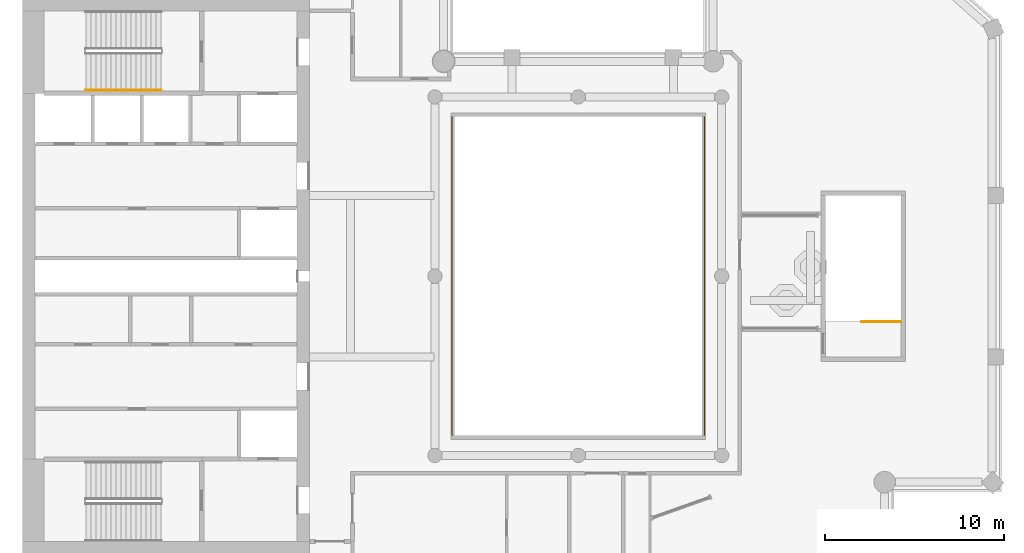
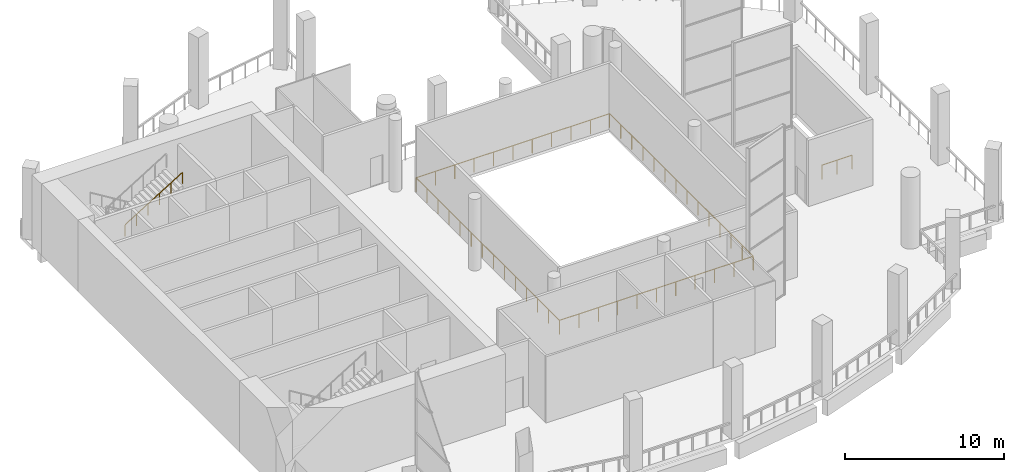
# One storey, part 10 of 12: 3 railings.
"""IFC4 building model written with IfcOpenShell, lengths in metres."""

from ifc_helpers import new_model, si_unit, direction, frame, origin, origin_2d, place, context, subcontext, project, spatial, rectangle, extrude, material, type_object, element, save


model = new_model("IFC4")

# Units and contexts
model_context = context("Model", 3, precision=1e-05, world=origin(), true_north=direction((0.0, 1.0)))
body_context = subcontext(model_context, "Body", "Model", "MODEL_VIEW")
ifc_project = project(units=[si_unit("LENGTHUNIT", "METRE"), si_unit("AREAUNIT", "SQUARE_METRE"), si_unit("VOLUMEUNIT", "CUBIC_METRE"), si_unit("PLANEANGLEUNIT", "RADIAN"), si_unit("MASSUNIT", "GRAM", prefix="KILO")], contexts=[model_context])

# Site, building, storey
site_placement = place(None, origin())
site = spatial("IfcSite", under=ifc_project, at=site_placement, CompositionType="ELEMENT")
building_placement = place(site_placement, origin())
building = spatial("IfcBuilding", under=site, at=building_placement, Name="Cypress Arch Tower", CompositionType="ELEMENT")
storey_placement = place(building_placement, frame((0.0, 0.0, 329.5)))
storey = spatial("IfcBuildingStorey", under=building, at=storey_placement, Name="L75", CompositionType="ELEMENT", Elevation=329.5)

# Railings
ifc_material_1 = material(Name="Stainless steel posts and handrail, laminated glass infill", Category="steel")
railing_type_1 = type_object("IfcRailingType", Name="Atrium guard GR1100A", PredefinedType="GUARDRAIL", material=ifc_material_1)
railing_1_placement = place(storey_placement, frame((8.050048828125, -9.050048828125, 0.0)))
element("IfcRailing", 1, at=railing_1_placement, inside=storey, type_object=railing_type_1, Name="Atrium guard L75", PredefinedType="GUARDRAIL", context=body_context, shape_type="SweptSolid", body=[
    extrude(rectangle(XDim=0.050048828125, YDim=0.050048828125, at=origin_2d()), frame((0.0, 0.0, 1.0751953125), z_axis=(-1.0, 0.0, 0.0), x_axis=(0.0, -1.0, 0.0)), (0.0, 0.0, 1.0), 14.10009765625),
    extrude(rectangle(XDim=0.050048828125, YDim=0.050048828125, at=origin_2d()), frame((-14.10009765625, 0.0, 1.0751953125), z_axis=(0.0, 1.0, 0.0), x_axis=(-1.0, 0.0, 0.0)), (0.0, 0.0, 1.0), 18.10009765625),
    extrude(rectangle(XDim=0.050048828125, YDim=0.050048828125, at=origin_2d()), frame((-14.10009765625, 18.10009765625, 1.0751953125), z_axis=(1.0, 0.0, 0.0), x_axis=(0.0, 1.0, 0.0)), (0.0, 0.0, 1.0), 14.10009765625),
    extrude(rectangle(XDim=0.050048828125, YDim=0.050048828125, at=origin_2d()), frame((0.0, 18.10009765625, 1.0751953125), z_axis=(0.0, -1.0, 0.0), x_axis=(1.0, 0.0, 0.0)), (0.0, 0.0, 1.0), 18.10009765625),
    extrude(rectangle(XDim=0.050048828125, YDim=0.050048828125, at=origin_2d()), origin(), (0.0, 0.0, 1.0), 1.050048828125),
    extrude(rectangle(XDim=0.050048828125, YDim=0.050048828125, at=origin_2d()), frame((-1.409912109375, 0.0, 0.0)), (0.0, 0.0, 1.0), 1.050048828125),
    extrude(rectangle(XDim=0.050048828125, YDim=0.050048828125, at=origin_2d()), frame((-2.820068359375, 0.0, 0.0)), (0.0, 0.0, 1.0), 1.050048828125),
    extrude(rectangle(XDim=0.050048828125, YDim=0.050048828125, at=origin_2d()), frame((-4.22998046875, 0.0, 0.0)), (0.0, 0.0, 1.0), 1.050048828125),
    extrude(rectangle(XDim=0.050048828125, YDim=0.050048828125, at=origin_2d()), frame((-5.64013671875, 0.0, 0.0)), (0.0, 0.0, 1.0), 1.050048828125),
    extrude(rectangle(XDim=0.050048828125, YDim=0.050048828125, at=origin_2d()), frame((-7.050048828125, 0.0, 0.0)), (0.0, 0.0, 1.0), 1.050048828125),
    extrude(rectangle(XDim=0.050048828125, YDim=0.050048828125, at=origin_2d()), frame((-8.4599609375, 0.0, 0.0)), (0.0, 0.0, 1.0), 1.050048828125),
    extrude(rectangle(XDim=0.050048828125, YDim=0.050048828125, at=origin_2d()), frame((-9.8701171875, 0.0, 0.0)), (0.0, 0.0, 1.0), 1.050048828125),
    extrude(rectangle(XDim=0.050048828125, YDim=0.050048828125, at=origin_2d()), frame((-11.280029296875, 0.0, 0.0)), (0.0, 0.0, 1.0), 1.050048828125),
    extrude(rectangle(XDim=0.050048828125, YDim=0.050048828125, at=origin_2d()), frame((-12.690185546875, 0.0, 0.0)), (0.0, 0.0, 1.0), 1.050048828125),
    extrude(rectangle(XDim=0.050048828125, YDim=0.050048828125, at=origin_2d()), frame((-14.10009765625, 0.0, 0.0)), (0.0, 0.0, 1.0), 1.050048828125),
    extrude(rectangle(XDim=0.050048828125, YDim=0.050048828125, at=origin_2d()), frame((-14.10009765625, 1.392333984375, 0.0)), (0.0, 0.0, 1.0), 1.050048828125),
    extrude(rectangle(XDim=0.050048828125, YDim=0.050048828125, at=origin_2d()), frame((-14.10009765625, 2.78466796875, 0.0)), (0.0, 0.0, 1.0), 1.050048828125),
    extrude(rectangle(XDim=0.050048828125, YDim=0.050048828125, at=origin_2d()), frame((-14.10009765625, 4.177001953125, 0.0)), (0.0, 0.0, 1.0), 1.050048828125),
    extrude(rectangle(XDim=0.050048828125, YDim=0.050048828125, at=origin_2d()), frame((-14.10009765625, 5.5693359375, 0.0)), (0.0, 0.0, 1.0), 1.050048828125),
    extrude(rectangle(XDim=0.050048828125, YDim=0.050048828125, at=origin_2d()), frame((-14.10009765625, 6.961669921875, 0.0)), (0.0, 0.0, 1.0), 1.050048828125),
    extrude(rectangle(XDim=0.050048828125, YDim=0.050048828125, at=origin_2d()), frame((-14.10009765625, 8.35400390625, 0.0)), (0.0, 0.0, 1.0), 1.050048828125),
    extrude(rectangle(XDim=0.050048828125, YDim=0.050048828125, at=origin_2d()), frame((-14.10009765625, 9.74609375, 0.0)), (0.0, 0.0, 1.0), 1.050048828125),
    extrude(rectangle(XDim=0.050048828125, YDim=0.050048828125, at=origin_2d()), frame((-14.10009765625, 11.138427734375, 0.0)), (0.0, 0.0, 1.0), 1.050048828125),
    extrude(rectangle(XDim=0.050048828125, YDim=0.050048828125, at=origin_2d()), frame((-14.10009765625, 12.53076171875, 0.0)), (0.0, 0.0, 1.0), 1.050048828125),
    extrude(rectangle(XDim=0.050048828125, YDim=0.050048828125, at=origin_2d()), frame((-14.10009765625, 13.923095703125, 0.0)), (0.0, 0.0, 1.0), 1.050048828125),
    extrude(rectangle(XDim=0.050048828125, YDim=0.050048828125, at=origin_2d()), frame((-14.10009765625, 15.3154296875, 0.0)), (0.0, 0.0, 1.0), 1.050048828125),
    extrude(rectangle(XDim=0.050048828125, YDim=0.050048828125, at=origin_2d()), frame((-14.10009765625, 16.707763671875, 0.0)), (0.0, 0.0, 1.0), 1.050048828125),
    extrude(rectangle(XDim=0.050048828125, YDim=0.050048828125, at=origin_2d()), frame((-14.10009765625, 18.10009765625, 0.0)), (0.0, 0.0, 1.0), 1.050048828125),
    extrude(rectangle(XDim=0.050048828125, YDim=0.050048828125, at=origin_2d()), frame((-12.690185546875, 18.10009765625, 0.0)), (0.0, 0.0, 1.0), 1.050048828125),
    extrude(rectangle(XDim=0.050048828125, YDim=0.050048828125, at=origin_2d()), frame((-11.280029296875, 18.10009765625, 0.0)), (0.0, 0.0, 1.0), 1.050048828125),
    extrude(rectangle(XDim=0.050048828125, YDim=0.050048828125, at=origin_2d()), frame((-9.8701171875, 18.10009765625, 0.0)), (0.0, 0.0, 1.0), 1.050048828125),
    extrude(rectangle(XDim=0.050048828125, YDim=0.050048828125, at=origin_2d()), frame((-8.4599609375, 18.10009765625, 0.0)), (0.0, 0.0, 1.0), 1.050048828125),
    extrude(rectangle(XDim=0.050048828125, YDim=0.050048828125, at=origin_2d()), frame((-7.050048828125, 18.10009765625, 0.0)), (0.0, 0.0, 1.0), 1.050048828125),
    extrude(rectangle(XDim=0.050048828125, YDim=0.050048828125, at=origin_2d()), frame((-5.64013671875, 18.10009765625, 0.0)), (0.0, 0.0, 1.0), 1.050048828125),
    extrude(rectangle(XDim=0.050048828125, YDim=0.050048828125, at=origin_2d()), frame((-4.22998046875, 18.10009765625, 0.0)), (0.0, 0.0, 1.0), 1.050048828125),
    extrude(rectangle(XDim=0.050048828125, YDim=0.050048828125, at=origin_2d()), frame((-2.820068359375, 18.10009765625, 0.0)), (0.0, 0.0, 1.0), 1.050048828125),
    extrude(rectangle(XDim=0.050048828125, YDim=0.050048828125, at=origin_2d()), frame((-1.409912109375, 18.10009765625, 0.0)), (0.0, 0.0, 1.0), 1.050048828125),
    extrude(rectangle(XDim=0.050048828125, YDim=0.050048828125, at=origin_2d()), frame((0.0, 18.10009765625, 0.0)), (0.0, 0.0, 1.0), 1.050048828125),
    extrude(rectangle(XDim=0.050048828125, YDim=0.050048828125, at=origin_2d()), frame((0.0, 16.707763671875, 0.0)), (0.0, 0.0, 1.0), 1.050048828125),
    extrude(rectangle(XDim=0.050048828125, YDim=0.050048828125, at=origin_2d()), frame((0.0, 15.3154296875, 0.0)), (0.0, 0.0, 1.0), 1.050048828125),
    extrude(rectangle(XDim=0.050048828125, YDim=0.050048828125, at=origin_2d()), frame((0.0, 13.923095703125, 0.0)), (0.0, 0.0, 1.0), 1.050048828125),
    extrude(rectangle(XDim=0.050048828125, YDim=0.050048828125, at=origin_2d()), frame((0.0, 12.53076171875, 0.0)), (0.0, 0.0, 1.0), 1.050048828125),
    extrude(rectangle(XDim=0.050048828125, YDim=0.050048828125, at=origin_2d()), frame((0.0, 11.138427734375, 0.0)), (0.0, 0.0, 1.0), 1.050048828125),
    extrude(rectangle(XDim=0.050048828125, YDim=0.050048828125, at=origin_2d()), frame((0.0, 9.74609375, 0.0)), (0.0, 0.0, 1.0), 1.050048828125),
    extrude(rectangle(XDim=0.050048828125, YDim=0.050048828125, at=origin_2d()), frame((0.0, 8.35400390625, 0.0)), (0.0, 0.0, 1.0), 1.050048828125),
    extrude(rectangle(XDim=0.050048828125, YDim=0.050048828125, at=origin_2d()), frame((0.0, 6.961669921875, 0.0)), (0.0, 0.0, 1.0), 1.050048828125),
    extrude(rectangle(XDim=0.050048828125, YDim=0.050048828125, at=origin_2d()), frame((0.0, 5.5693359375, 0.0)), (0.0, 0.0, 1.0), 1.050048828125),
    extrude(rectangle(XDim=0.050048828125, YDim=0.050048828125, at=origin_2d()), frame((0.0, 4.177001953125, 0.0)), (0.0, 0.0, 1.0), 1.050048828125),
    extrude(rectangle(XDim=0.050048828125, YDim=0.050048828125, at=origin_2d()), frame((0.0, 2.78466796875, 0.0)), (0.0, 0.0, 1.0), 1.050048828125),
    extrude(rectangle(XDim=0.050048828125, YDim=0.050048828125, at=origin_2d()), frame((0.0, 1.392333984375, 0.0)), (0.0, 0.0, 1.0), 1.050048828125),
])
ifc_material_2 = material(Name="Black powder-coated steel square bar 48 mm", Category="steel")
railing_type_2 = type_object("IfcRailingType", Name="Stair handrail HR1", PredefinedType="HANDRAIL", material=ifc_material_2)
railing_2_placement = place(storey_placement, frame((-26.47509765625, 10.375, 2.921875)))
element("IfcRailing", 2, at=railing_2_placement, inside=storey, type_object=railing_type_2, Name="L75 B stair handrail 2", PredefinedType="HANDRAIL", context=body_context, shape_type="SweptSolid", body=[
    extrude(rectangle(XDim=0.048095703125, YDim=0.048095703125, at=origin_2d()), frame((0.0, 0.0, 0.8759765625), z_axis=(0.852256472501, 0.0, 0.523124177495), x_axis=(0.0, 1.0, 0.0)), (0.0, 0.0, 1.0), 4.92822265625),
    extrude(rectangle(XDim=0.0419921875, YDim=0.0419921875, at=origin_2d()), origin(), (0.0, 0.0, 1.0), 0.851806640625),
    extrude(rectangle(XDim=0.0419921875, YDim=0.0419921875, at=origin_2d()), frame((0.840087890625, 0.0, 0.515625)), (0.0, 0.0, 1.0), 0.851806640625),
    extrude(rectangle(XDim=0.0419921875, YDim=0.0419921875, at=origin_2d()), frame((1.68017578125, 0.0, 1.03125)), (0.0, 0.0, 1.0), 0.851806640625),
    extrude(rectangle(XDim=0.0419921875, YDim=0.0419921875, at=origin_2d()), frame((2.52001953125, 0.0, 1.546875)), (0.0, 0.0, 1.0), 0.851806640625),
    extrude(rectangle(XDim=0.0419921875, YDim=0.0419921875, at=origin_2d()), frame((3.360107421875, 0.0, 2.0625)), (0.0, 0.0, 1.0), 0.851806640625),
    extrude(rectangle(XDim=0.0419921875, YDim=0.0419921875, at=origin_2d()), frame((4.2001953125, 0.0, 2.578125)), (0.0, 0.0, 1.0), 0.851806640625),
])
ifc_material_3 = material(Name="Black powder-coated steel balusters", Category="steel")
railing_type_3 = type_object("IfcRailingType", Name="Stair well guard G1", PredefinedType="GUARDRAIL", material=ifc_material_3)
railing_3_placement = place(storey_placement, frame((19.0, -2.550048828125, 0.0)))
element("IfcRailing", 3, at=railing_3_placement, inside=storey, type_object=railing_type_3, Name="L75 C top well guard 1", PredefinedType="GUARDRAIL", context=body_context, shape_type="SweptSolid", body=[
    extrude(rectangle(XDim=0.048095703125, YDim=0.048095703125, at=origin_2d()), frame((0.0, 0.0, 1.076171875), z_axis=(-1.0, 0.0, 0.0), x_axis=(0.0, -1.0, 0.0)), (0.0, 0.0, 1.0), 2.199951171875),
    extrude(rectangle(XDim=0.0419921875, YDim=0.0419921875, at=origin_2d()), origin(), (0.0, 0.0, 1.0), 1.052001953125),
    extrude(rectangle(XDim=0.0419921875, YDim=0.0419921875, at=origin_2d()), frame((-1.10009765625, 0.0, 0.0)), (0.0, 0.0, 1.0), 1.052001953125),
    extrude(rectangle(XDim=0.0419921875, YDim=0.0419921875, at=origin_2d()), frame((-2.199951171875, 0.0, 0.0)), (0.0, 0.0, 1.0), 1.052001953125),
])

save(model, "model.ifc")
